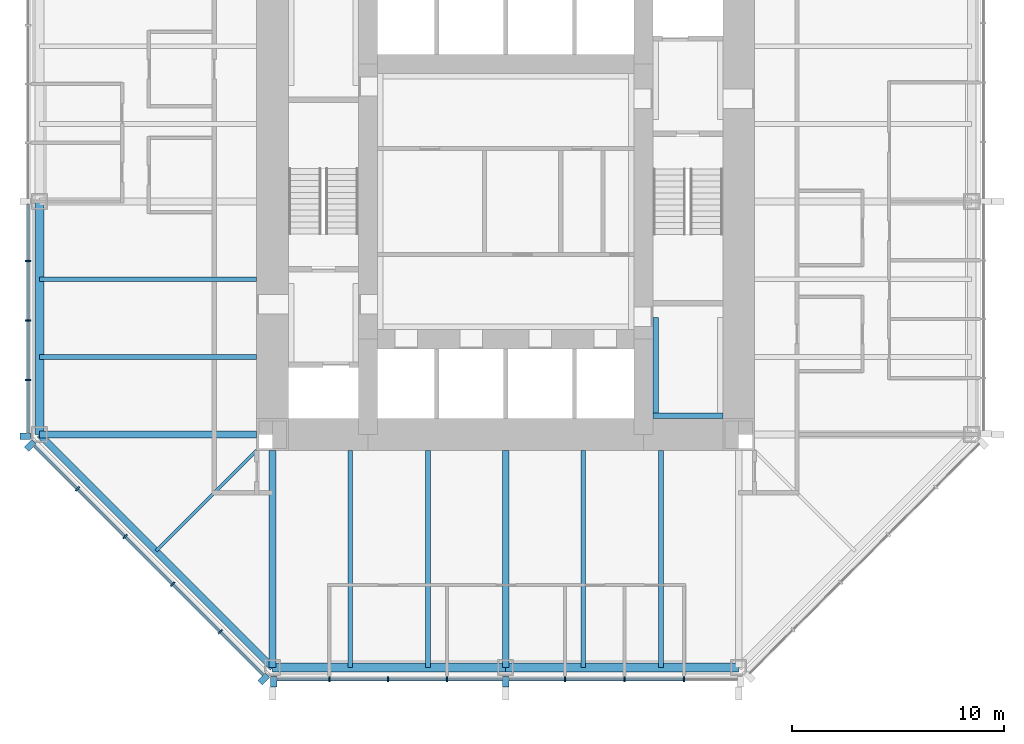
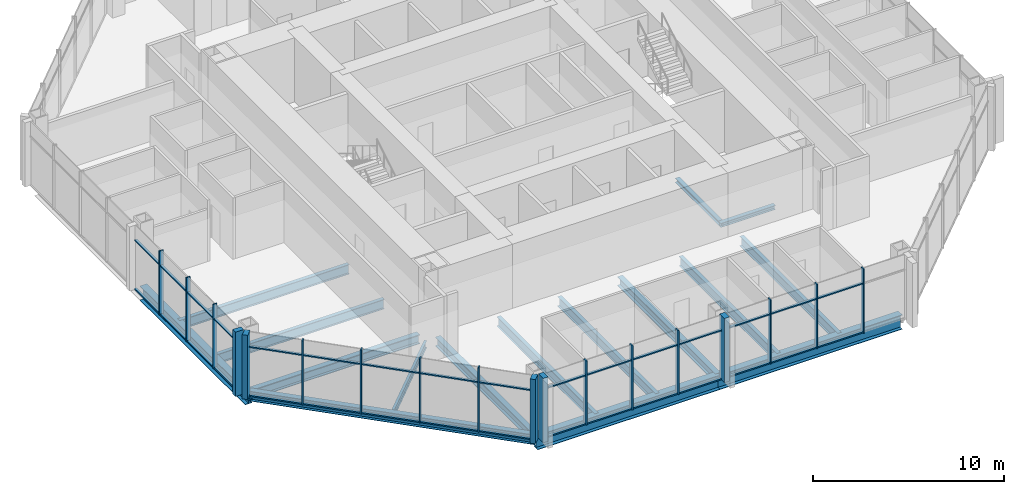
# One storey, part 2 of 12: 50 members, 16 beams, 3 elements without a shape of their own.
"""IFC4 building model written with IfcOpenShell, lengths in metres."""

from ifc_helpers import new_model, si_unit, direction, frame, origin, origin_2d, place, context, subcontext, project, spatial, rectangle, i_section, extrude, material, material_profile, profile_set, type_object, element, aggregate, save


model = new_model("IFC4")

# Units and contexts
model_context = context("Model", 3, precision=1e-05, world=origin(), true_north=direction((0.0, 1.0)))
body_context = subcontext(model_context, "Body", "Model", "MODEL_VIEW")
ifc_project = project(units=[si_unit("LENGTHUNIT", "METRE"), si_unit("AREAUNIT", "SQUARE_METRE"), si_unit("VOLUMEUNIT", "CUBIC_METRE"), si_unit("PLANEANGLEUNIT", "RADIAN"), si_unit("MASSUNIT", "GRAM", prefix="KILO")], contexts=[model_context])

# Site, building, storey
site_placement = place(None, origin())
site = spatial("IfcSite", under=ifc_project, at=site_placement, CompositionType="ELEMENT")
building_placement = place(site_placement, origin())
building = spatial("IfcBuilding", under=site, at=building_placement, Name="Trevanion Tower", CompositionType="ELEMENT")
storey_placement = place(building_placement, frame((0.0, 0.0, 141.800048828125)))
storey = spatial("IfcBuildingStorey", under=building, at=storey_placement, Name="L33", CompositionType="ELEMENT", Elevation=141.800048828125)

# Beams
ifc_material_1 = material(Name="Steel ASTM A992 Grade 50", Category="steel")
ifc_material_profile_1 = material_profile(ifc_material_1, i_section(OverallWidth=0.22900390625, OverallDepth=0.612060546875, WebThickness=0.011962890625, FlangeThickness=0.01953125, at=origin_2d()), Name="W24X84")
ifc_profile_set_1 = profile_set([ifc_material_profile_1], Name="Steel ASTM A992 Grade 50")
beam_type_1 = type_object("IfcBeamType", Name="B7 W24X84", PredefinedType="BEAM", material=ifc_profile_set_1)
for number, where, z_axis, x_axis, name in (
    (1, (-11.75, -3.666748046875, -0.49609375), (-1.0, 0.0, 0.0), (0.0, -1.0, 0.0), "B7 L33"),
    (2, (-11.75, -7.333251953125, -0.49609375), (-1.0, 0.0, 0.0), (0.0, -1.0, 0.0), "B7 L33"),
    (3, (-7.333251953125, -11.75, -0.49609375), (0.0, -1.0, 0.0), (1.0, 0.0, 0.0), "B7 L33"),
    (4, (-3.666748046875, -11.75, -0.49609375), (0.0, -1.0, 0.0), (1.0, 0.0, 0.0), "B7 L33"),
    (5, (3.666748046875, -11.75, -0.49609375), (0.0, -1.0, 0.0), (1.0, 0.0, 0.0), "B7 L33"),
    (6, (7.333251953125, -11.75, -0.49609375), (0.0, -1.0, 0.0), (1.0, 0.0, 0.0), "B7 L33"),
):
    element("IfcBeam", number, at=place(storey_placement, frame(where, z_axis=z_axis, x_axis=x_axis)), inside=storey, type_object=beam_type_1, Name=name, PredefinedType="BEAM", context=body_context, shape_type="SweptSolid", body=[
        extrude(i_section(OverallWidth=0.22900390625, OverallDepth=0.612060546875, WebThickness=0.011962890625, FlangeThickness=0.01953125, at=origin_2d()), origin(), (0.0, 0.0, 1.0), 10.25),
    ])
ifc_material_2 = material(Name="Steel ASTM A992 Grade 50", Category="steel")
ifc_material_profile_2 = material_profile(ifc_material_2, i_section(OverallWidth=0.15234375, OverallDepth=0.449462890625, WebThickness=0.007568359375, FlangeThickness=0.0107421875, at=origin_2d()), Name="W18X35")
ifc_profile_set_2 = profile_set([ifc_material_profile_2], Name="Steel ASTM A992 Grade 50")
beam_type_2 = type_object("IfcBeamType", Name="B8 W18X35", PredefinedType="BEAM", material=ifc_profile_set_2)
beam_1_placement = place(storey_placement, frame((-11.75, -11.75, -0.414794921875), z_axis=(-0.707106781187, -0.707106781187, 0.0), x_axis=(0.707106781187, -0.707106781187, 0.0)))
element("IfcBeam", 7, at=beam_1_placement, inside=storey, type_object=beam_type_2, Name="B8 L33", PredefinedType="BEAM", context=body_context, shape_type="SweptSolid", body=[
    extrude(i_section(OverallWidth=0.15234375, OverallDepth=0.449462890625, WebThickness=0.007568359375, FlangeThickness=0.0107421875, at=origin_2d()), origin(), (0.0, 0.0, 1.0), 6.717529296875),
])

# Curtain wall, members
ifc_material_3 = material(Name="Aluminium and glass", Category="aluminium")
curtain_wall_type = type_object("IfcCurtainWallType", Name="CW2 curtain wall", PredefinedType="USERDEFINED", material=ifc_material_3)
curtain_wall_1_placement = place(storey_placement, origin())
curtain_wall_1 = element("IfcCurtainWall", 8, at=curtain_wall_1_placement, inside=storey, type_object=curtain_wall_type, Name="CW2 L33 4", ObjectType="UNITISED CURTAIN WALL", PredefinedType="USERDEFINED")
ifc_material_4 = material(Name="Aluminium extrusion, anodised bronze", Category="aluminium")
ifc_material_profile_3 = material_profile(ifc_material_4, rectangle(XDim=0.074951171875, YDim=0.25, at=origin_2d()), Name="CW2 mullion")
ifc_profile_set_3 = profile_set([ifc_material_profile_3], Name="Aluminium extrusion, anodised bronze")
member_type_1 = type_object("IfcMemberType", Name="CW2 mullion", PredefinedType="MULLION", material=ifc_profile_set_3)
member_1_placement = place(storey_placement, frame((-22.550048828125, -2.806884765625, -0.18994140625), z_axis=(0.0, 0.0, 1.0), x_axis=(0.0, -1.0, 0.0)))
member_1 = element("IfcMember", 9, at=member_1_placement, type_object=member_type_1, Name="CW2 mullion 6", PredefinedType="MULLION", context=body_context, shape_type="SweptSolid", body=[
    extrude(rectangle(XDim=0.074951171875, YDim=0.25, at=origin_2d()), origin(), (0.0, 0.0, 1.0), 4.099853515625),
])
member_2_placement = place(storey_placement, frame((-22.550048828125, -5.614013671875, -0.18994140625), z_axis=(0.0, 0.0, 1.0), x_axis=(0.0, -1.0, 0.0)))
member_2 = element("IfcMember", 10, at=member_2_placement, type_object=member_type_1, Name="CW2 mullion 7", PredefinedType="MULLION", context=body_context, shape_type="SweptSolid", body=[
    extrude(rectangle(XDim=0.074951171875, YDim=0.25, at=origin_2d()), origin(), (0.0, 0.0, 1.0), 4.099853515625),
])
member_3_placement = place(storey_placement, frame((-22.550048828125, -8.4208984375, -0.18994140625), z_axis=(0.0, 0.0, 1.0), x_axis=(0.0, -1.0, 0.0)))
member_3 = element("IfcMember", 11, at=member_3_placement, type_object=member_type_1, Name="CW2 mullion 8", PredefinedType="MULLION", context=body_context, shape_type="SweptSolid", body=[
    extrude(rectangle(XDim=0.074951171875, YDim=0.25, at=origin_2d()), origin(), (0.0, 0.0, 1.0), 4.099853515625),
])

curtain_wall_2_placement = place(storey_placement, origin())
curtain_wall_2 = element("IfcCurtainWall", 12, at=curtain_wall_2_placement, inside=storey, type_object=curtain_wall_type, Name="CW2 L33 5", ObjectType="UNITISED CURTAIN WALL", PredefinedType="USERDEFINED")
member_4_placement = place(storey_placement, frame((-20.2119140625, -13.56591796875, -0.18994140625), z_axis=(0.0, 0.0, 1.0), x_axis=(0.707106781187, -0.707106781187, 0.0)))
member_4 = element("IfcMember", 13, at=member_4_placement, type_object=member_type_1, Name="CW2 mullion 2", PredefinedType="MULLION", context=body_context, shape_type="SweptSolid", body=[
    extrude(rectangle(XDim=0.074951171875, YDim=0.25, at=origin_2d()), origin(), (0.0, 0.0, 1.0), 4.099853515625),
])
member_5_placement = place(storey_placement, frame((-17.966064453125, -15.811767578125, -0.18994140625), z_axis=(0.0, 0.0, 1.0), x_axis=(0.707106781187, -0.707106781187, 0.0)))
member_5 = element("IfcMember", 14, at=member_5_placement, type_object=member_type_1, Name="CW2 mullion 3", PredefinedType="MULLION", context=body_context, shape_type="SweptSolid", body=[
    extrude(rectangle(XDim=0.074951171875, YDim=0.25, at=origin_2d()), origin(), (0.0, 0.0, 1.0), 4.099853515625),
])
member_6_placement = place(storey_placement, frame((-15.719970703125, -18.057861328125, -0.18994140625), z_axis=(0.0, 0.0, 1.0), x_axis=(0.707106781187, -0.707106781187, 0.0)))
member_6 = element("IfcMember", 15, at=member_6_placement, type_object=member_type_1, Name="CW2 mullion 4", PredefinedType="MULLION", context=body_context, shape_type="SweptSolid", body=[
    extrude(rectangle(XDim=0.074951171875, YDim=0.25, at=origin_2d()), origin(), (0.0, 0.0, 1.0), 4.099853515625),
])
member_7_placement = place(storey_placement, frame((-13.473876953125, -20.303955078125, -0.18994140625), z_axis=(0.0, 0.0, 1.0), x_axis=(0.707106781187, -0.707106781187, 0.0)))
member_7 = element("IfcMember", 16, at=member_7_placement, type_object=member_type_1, Name="CW2 mullion 5", PredefinedType="MULLION", context=body_context, shape_type="SweptSolid", body=[
    extrude(rectangle(XDim=0.074951171875, YDim=0.25, at=origin_2d()), origin(), (0.0, 0.0, 1.0), 4.099853515625),
])

curtain_wall_3_placement = place(storey_placement, origin())
curtain_wall_3 = element("IfcCurtainWall", 17, at=curtain_wall_3_placement, inside=storey, type_object=curtain_wall_type, Name="CW2 L33 6", ObjectType="UNITISED CURTAIN WALL", PredefinedType="USERDEFINED")
member_8_placement = place(storey_placement, frame((-8.323486328125, -22.550048828125, -0.18994140625), z_axis=(0.0, 0.0, 1.0), x_axis=(1.0, 0.0, 0.0)))
member_8 = element("IfcMember", 18, at=member_8_placement, type_object=member_type_1, Name="CW2 mullion 2", PredefinedType="MULLION", context=body_context, shape_type="SweptSolid", body=[
    extrude(rectangle(XDim=0.074951171875, YDim=0.25, at=origin_2d()), origin(), (0.0, 0.0, 1.0), 4.099853515625),
])
member_9_placement = place(storey_placement, frame((-5.548828125, -22.550048828125, -0.18994140625), z_axis=(0.0, 0.0, 1.0), x_axis=(1.0, 0.0, 0.0)))
member_9 = element("IfcMember", 19, at=member_9_placement, type_object=member_type_1, Name="CW2 mullion 3", PredefinedType="MULLION", context=body_context, shape_type="SweptSolid", body=[
    extrude(rectangle(XDim=0.074951171875, YDim=0.25, at=origin_2d()), origin(), (0.0, 0.0, 1.0), 4.099853515625),
])
member_10_placement = place(storey_placement, frame((-2.7744140625, -22.550048828125, -0.18994140625), z_axis=(0.0, 0.0, 1.0), x_axis=(1.0, 0.0, 0.0)))
member_10 = element("IfcMember", 20, at=member_10_placement, type_object=member_type_1, Name="CW2 mullion 4", PredefinedType="MULLION", context=body_context, shape_type="SweptSolid", body=[
    extrude(rectangle(XDim=0.074951171875, YDim=0.25, at=origin_2d()), origin(), (0.0, 0.0, 1.0), 4.099853515625),
])
member_11_placement = place(storey_placement, frame((2.806884765625, -22.550048828125, -0.18994140625), z_axis=(0.0, 0.0, 1.0), x_axis=(1.0, 0.0, 0.0)))
member_11 = element("IfcMember", 21, at=member_11_placement, type_object=member_type_1, Name="CW2 mullion 6", PredefinedType="MULLION", context=body_context, shape_type="SweptSolid", body=[
    extrude(rectangle(XDim=0.074951171875, YDim=0.25, at=origin_2d()), origin(), (0.0, 0.0, 1.0), 4.099853515625),
])
member_12_placement = place(storey_placement, frame((5.614013671875, -22.550048828125, -0.18994140625), z_axis=(0.0, 0.0, 1.0), x_axis=(1.0, 0.0, 0.0)))
member_12 = element("IfcMember", 22, at=member_12_placement, type_object=member_type_1, Name="CW2 mullion 7", PredefinedType="MULLION", context=body_context, shape_type="SweptSolid", body=[
    extrude(rectangle(XDim=0.074951171875, YDim=0.25, at=origin_2d()), origin(), (0.0, 0.0, 1.0), 4.099853515625),
])
member_13_placement = place(storey_placement, frame((8.4208984375, -22.550048828125, -0.18994140625), z_axis=(0.0, 0.0, 1.0), x_axis=(1.0, 0.0, 0.0)))
member_13 = element("IfcMember", 23, at=member_13_placement, type_object=member_type_1, Name="CW2 mullion 8", PredefinedType="MULLION", context=body_context, shape_type="SweptSolid", body=[
    extrude(rectangle(XDim=0.074951171875, YDim=0.25, at=origin_2d()), origin(), (0.0, 0.0, 1.0), 4.099853515625),
])

# Member
ifc_material_5 = material(Name="Aluminium extrusion, anodised bronze", Category="aluminium")
ifc_material_profile_4 = material_profile(ifc_material_5, rectangle(XDim=0.300048828125, YDim=0.5, at=origin_2d()), Name="CW2 pier mullion")
ifc_profile_set_4 = profile_set([ifc_material_profile_4], Name="Aluminium extrusion, anodised bronze")
member_type_2 = type_object("IfcMemberType", Name="CW2 pier mullion", PredefinedType="MULLION", material=ifc_profile_set_4)
member_14_placement = place(storey_placement, frame((-22.675048828125, -11.077880859375, -0.18994140625), z_axis=(0.0, 0.0, 1.0), x_axis=(0.0, -1.0, 0.0)))
member_14 = element("IfcMember", 24, at=member_14_placement, type_object=member_type_2, Name="CW2 pier mullion 9", PredefinedType="MULLION", context=body_context, shape_type="SweptSolid", body=[
    extrude(rectangle(XDim=0.300048828125, YDim=0.5, at=origin_2d()), origin(), (0.0, 0.0, 1.0), 4.099853515625),
])

member_15_placement = place(storey_placement, frame((-22.4404296875, -11.51416015625, -0.18994140625), z_axis=(0.0, 0.0, 1.0), x_axis=(0.707106781187, -0.707106781187, 0.0)))
member_15 = element("IfcMember", 25, at=member_15_placement, type_object=member_type_2, Name="CW2 pier mullion 1", PredefinedType="MULLION", context=body_context, shape_type="SweptSolid", body=[
    extrude(rectangle(XDim=0.300048828125, YDim=0.5, at=origin_2d()), origin(), (0.0, 0.0, 1.0), 4.099853515625),
])

member_16_placement = place(storey_placement, frame((-11.42236328125, -22.5322265625, -0.18994140625), z_axis=(0.0, 0.0, 1.0), x_axis=(0.707106781187, -0.707106781187, 0.0)))
member_16 = element("IfcMember", 26, at=member_16_placement, type_object=member_type_2, Name="CW2 pier mullion 6", PredefinedType="MULLION", context=body_context, shape_type="SweptSolid", body=[
    extrude(rectangle(XDim=0.300048828125, YDim=0.5, at=origin_2d()), origin(), (0.0, 0.0, 1.0), 4.099853515625),
])

member_17_placement = place(storey_placement, frame((-10.94775390625, -22.675048828125, -0.18994140625), z_axis=(0.0, 0.0, 1.0), x_axis=(1.0, 0.0, 0.0)))
member_17 = element("IfcMember", 27, at=member_17_placement, type_object=member_type_2, Name="CW2 pier mullion 1", PredefinedType="MULLION", context=body_context, shape_type="SweptSolid", body=[
    extrude(rectangle(XDim=0.300048828125, YDim=0.5, at=origin_2d()), origin(), (0.0, 0.0, 1.0), 4.099853515625),
])

member_18_placement = place(storey_placement, frame((0.0, -22.675048828125, -0.18994140625), z_axis=(0.0, 0.0, 1.0), x_axis=(1.0, 0.0, 0.0)))
member_18 = element("IfcMember", 28, at=member_18_placement, type_object=member_type_2, Name="CW2 pier mullion 5", PredefinedType="MULLION", context=body_context, shape_type="SweptSolid", body=[
    extrude(rectangle(XDim=0.300048828125, YDim=0.5, at=origin_2d()), origin(), (0.0, 0.0, 1.0), 4.099853515625),
])

ifc_material_6 = material(Name="Aluminium extrusion, anodised bronze", Category="aluminium")
ifc_material_profile_5 = material_profile(ifc_material_6, rectangle(XDim=0.14990234375, YDim=0.074951171875, at=origin_2d()), Name="CW2 transom")
ifc_profile_set_5 = profile_set([ifc_material_profile_5], Name="Aluminium extrusion, anodised bronze")
member_type_3 = type_object("IfcMemberType", Name="CW2 transom", PredefinedType="USERDEFINED", material=ifc_profile_set_5)
member_19_placement = place(storey_placement, frame((-22.550048828125, -0.14990234375, -0.152587890625), z_axis=(0.0, -1.0, 0.0), x_axis=(1.0, 0.0, 0.0)))
member_19 = element("IfcMember", 29, at=member_19_placement, type_object=member_type_3, Name="CW2 transom 5.1", ObjectType="TRANSOM", PredefinedType="USERDEFINED", context=body_context, shape_type="SweptSolid", body=[
    extrude(rectangle(XDim=0.14990234375, YDim=0.074951171875, at=origin_2d()), origin(), (0.0, 0.0, 1.0), 2.619384765625),
])

member_20_placement = place(storey_placement, frame((-22.550048828125, -0.14990234375, 2.9599609375), z_axis=(0.0, -1.0, 0.0), x_axis=(1.0, 0.0, 0.0)))
member_20 = element("IfcMember", 30, at=member_20_placement, type_object=member_type_3, Name="CW2 transom 5.2", ObjectType="TRANSOM", PredefinedType="USERDEFINED", context=body_context, shape_type="SweptSolid", body=[
    extrude(rectangle(XDim=0.14990234375, YDim=0.074951171875, at=origin_2d()), origin(), (0.0, 0.0, 1.0), 2.619384765625),
])

member_21_placement = place(storey_placement, frame((-22.550048828125, -2.844482421875, -0.152587890625), z_axis=(0.0, -1.0, 0.0), x_axis=(1.0, 0.0, 0.0)))
member_21 = element("IfcMember", 31, at=member_21_placement, type_object=member_type_3, Name="CW2 transom 6.1", ObjectType="TRANSOM", PredefinedType="USERDEFINED", context=body_context, shape_type="SweptSolid", body=[
    extrude(rectangle(XDim=0.14990234375, YDim=0.074951171875, at=origin_2d()), origin(), (0.0, 0.0, 1.0), 2.73193359375),
])

member_22_placement = place(storey_placement, frame((-22.550048828125, -2.844482421875, 2.9599609375), z_axis=(0.0, -1.0, 0.0), x_axis=(1.0, 0.0, 0.0)))
member_22 = element("IfcMember", 32, at=member_22_placement, type_object=member_type_3, Name="CW2 transom 6.2", ObjectType="TRANSOM", PredefinedType="USERDEFINED", context=body_context, shape_type="SweptSolid", body=[
    extrude(rectangle(XDim=0.14990234375, YDim=0.074951171875, at=origin_2d()), origin(), (0.0, 0.0, 1.0), 2.73193359375),
])

member_23_placement = place(storey_placement, frame((-22.550048828125, -5.6513671875, -0.152587890625), z_axis=(0.0, -1.0, 0.0), x_axis=(1.0, 0.0, 0.0)))
member_23 = element("IfcMember", 33, at=member_23_placement, type_object=member_type_3, Name="CW2 transom 7.1", ObjectType="TRANSOM", PredefinedType="USERDEFINED", context=body_context, shape_type="SweptSolid", body=[
    extrude(rectangle(XDim=0.14990234375, YDim=0.074951171875, at=origin_2d()), origin(), (0.0, 0.0, 1.0), 2.73193359375),
])

member_24_placement = place(storey_placement, frame((-22.550048828125, -5.6513671875, 2.9599609375), z_axis=(0.0, -1.0, 0.0), x_axis=(1.0, 0.0, 0.0)))
member_24 = element("IfcMember", 34, at=member_24_placement, type_object=member_type_3, Name="CW2 transom 7.2", ObjectType="TRANSOM", PredefinedType="USERDEFINED", context=body_context, shape_type="SweptSolid", body=[
    extrude(rectangle(XDim=0.14990234375, YDim=0.074951171875, at=origin_2d()), origin(), (0.0, 0.0, 1.0), 2.73193359375),
])

member_25_placement = place(storey_placement, frame((-22.550048828125, -8.45849609375, -0.152587890625), z_axis=(0.0, -1.0, 0.0), x_axis=(1.0, 0.0, 0.0)))
member_25 = element("IfcMember", 35, at=member_25_placement, type_object=member_type_3, Name="CW2 transom 8.1", ObjectType="TRANSOM", PredefinedType="USERDEFINED", context=body_context, shape_type="SweptSolid", body=[
    extrude(rectangle(XDim=0.14990234375, YDim=0.074951171875, at=origin_2d()), origin(), (0.0, 0.0, 1.0), 2.46923828125),
])

member_26_placement = place(storey_placement, frame((-22.550048828125, -8.45849609375, 2.9599609375), z_axis=(0.0, -1.0, 0.0), x_axis=(1.0, 0.0, 0.0)))
member_26 = element("IfcMember", 36, at=member_26_placement, type_object=member_type_3, Name="CW2 transom 8.2", ObjectType="TRANSOM", PredefinedType="USERDEFINED", context=body_context, shape_type="SweptSolid", body=[
    extrude(rectangle(XDim=0.14990234375, YDim=0.074951171875, at=origin_2d()), origin(), (0.0, 0.0, 1.0), 2.46923828125),
])

aggregate(curtain_wall_1, [member_1, member_2, member_3, member_14, member_19, member_20, member_21, member_22, member_23, member_24, member_25, member_26])

member_27_placement = place(storey_placement, frame((-22.245849609375, -11.531982421875, -0.152587890625), z_axis=(0.707106781187, -0.707106781187, 0.0), x_axis=(0.707106781187, 0.707106781187, 0.0)))
member_27 = element("IfcMember", 37, at=member_27_placement, type_object=member_type_3, Name="CW2 transom 1.1", ObjectType="TRANSOM", PredefinedType="USERDEFINED", context=body_context, shape_type="SweptSolid", body=[
    extrude(rectangle(XDim=0.14990234375, YDim=0.074951171875, at=origin_2d()), origin(), (0.0, 0.0, 1.0), 2.8388671875),
])

member_28_placement = place(storey_placement, frame((-22.245849609375, -11.531982421875, 2.9599609375), z_axis=(0.707106781187, -0.707106781187, 0.0), x_axis=(0.707106781187, 0.707106781187, 0.0)))
member_28 = element("IfcMember", 38, at=member_28_placement, type_object=member_type_3, Name="CW2 transom 1.2", ObjectType="TRANSOM", PredefinedType="USERDEFINED", context=body_context, shape_type="SweptSolid", body=[
    extrude(rectangle(XDim=0.14990234375, YDim=0.074951171875, at=origin_2d()), origin(), (0.0, 0.0, 1.0), 2.8388671875),
])

member_29_placement = place(storey_placement, frame((-20.185546875, -13.59228515625, -0.152587890625), z_axis=(0.707106781187, -0.707106781187, 0.0), x_axis=(0.707106781187, 0.707106781187, 0.0)))
member_29 = element("IfcMember", 39, at=member_29_placement, type_object=member_type_3, Name="CW2 transom 2.1", ObjectType="TRANSOM", PredefinedType="USERDEFINED", context=body_context, shape_type="SweptSolid", body=[
    extrude(rectangle(XDim=0.14990234375, YDim=0.074951171875, at=origin_2d()), origin(), (0.0, 0.0, 1.0), 3.1015625),
])

member_30_placement = place(storey_placement, frame((-20.185546875, -13.59228515625, 2.9599609375), z_axis=(0.707106781187, -0.707106781187, 0.0), x_axis=(0.707106781187, 0.707106781187, 0.0)))
member_30 = element("IfcMember", 40, at=member_30_placement, type_object=member_type_3, Name="CW2 transom 2.2", ObjectType="TRANSOM", PredefinedType="USERDEFINED", context=body_context, shape_type="SweptSolid", body=[
    extrude(rectangle(XDim=0.14990234375, YDim=0.074951171875, at=origin_2d()), origin(), (0.0, 0.0, 1.0), 3.1015625),
])

member_31_placement = place(storey_placement, frame((-17.939453125, -15.83837890625, -0.152587890625), z_axis=(0.707106781187, -0.707106781187, 0.0), x_axis=(0.707106781187, 0.707106781187, 0.0)))
member_31 = element("IfcMember", 41, at=member_31_placement, type_object=member_type_3, Name="CW2 transom 3.1", ObjectType="TRANSOM", PredefinedType="USERDEFINED", context=body_context, shape_type="SweptSolid", body=[
    extrude(rectangle(XDim=0.14990234375, YDim=0.074951171875, at=origin_2d()), origin(), (0.0, 0.0, 1.0), 3.1015625),
])

member_32_placement = place(storey_placement, frame((-17.939453125, -15.83837890625, 2.9599609375), z_axis=(0.707106781187, -0.707106781187, 0.0), x_axis=(0.707106781187, 0.707106781187, 0.0)))
member_32 = element("IfcMember", 42, at=member_32_placement, type_object=member_type_3, Name="CW2 transom 3.2", ObjectType="TRANSOM", PredefinedType="USERDEFINED", context=body_context, shape_type="SweptSolid", body=[
    extrude(rectangle(XDim=0.14990234375, YDim=0.074951171875, at=origin_2d()), origin(), (0.0, 0.0, 1.0), 3.1015625),
])

member_33_placement = place(storey_placement, frame((-15.693359375, -18.08447265625, -0.152587890625), z_axis=(0.707106781187, -0.707106781187, 0.0), x_axis=(0.707106781187, 0.707106781187, 0.0)))
member_33 = element("IfcMember", 43, at=member_33_placement, type_object=member_type_3, Name="CW2 transom 4.1", ObjectType="TRANSOM", PredefinedType="USERDEFINED", context=body_context, shape_type="SweptSolid", body=[
    extrude(rectangle(XDim=0.14990234375, YDim=0.074951171875, at=origin_2d()), origin(), (0.0, 0.0, 1.0), 3.10107421875),
])

member_34_placement = place(storey_placement, frame((-15.693359375, -18.08447265625, 2.9599609375), z_axis=(0.707106781187, -0.707106781187, 0.0), x_axis=(0.707106781187, 0.707106781187, 0.0)))
member_34 = element("IfcMember", 44, at=member_34_placement, type_object=member_type_3, Name="CW2 transom 4.2", ObjectType="TRANSOM", PredefinedType="USERDEFINED", context=body_context, shape_type="SweptSolid", body=[
    extrude(rectangle(XDim=0.14990234375, YDim=0.074951171875, at=origin_2d()), origin(), (0.0, 0.0, 1.0), 3.10107421875),
])

member_35_placement = place(storey_placement, frame((-13.447509765625, -20.33056640625, -0.152587890625), z_axis=(0.707149778163, -0.707063781595, 0.0), x_axis=(0.707063781595, 0.707149778163, 0.0)))
member_35 = element("IfcMember", 45, at=member_35_placement, type_object=member_type_3, Name="CW2 transom 5.1", ObjectType="TRANSOM", PredefinedType="USERDEFINED", context=body_context, shape_type="SweptSolid", body=[
    extrude(rectangle(XDim=0.14990234375, YDim=0.074951171875, at=origin_2d()), origin(), (0.0, 0.0, 1.0), 2.8388671875),
])

member_36_placement = place(storey_placement, frame((-13.447509765625, -20.33056640625, 2.9599609375), z_axis=(0.707149778163, -0.707063781595, 0.0), x_axis=(0.707063781595, 0.707149778163, 0.0)))
member_36 = element("IfcMember", 46, at=member_36_placement, type_object=member_type_3, Name="CW2 transom 5.2", ObjectType="TRANSOM", PredefinedType="USERDEFINED", context=body_context, shape_type="SweptSolid", body=[
    extrude(rectangle(XDim=0.14990234375, YDim=0.074951171875, at=origin_2d()), origin(), (0.0, 0.0, 1.0), 2.8388671875),
])

aggregate(curtain_wall_2, [member_15, member_4, member_5, member_6, member_7, member_16, member_27, member_28, member_29, member_30, member_31, member_32, member_33, member_34, member_35, member_36])

member_37_placement = place(storey_placement, frame((-10.7978515625, -22.550048828125, -0.152587890625), z_axis=(1.0, 0.0, 0.0), x_axis=(0.0, 1.0, 0.0)))
member_37 = element("IfcMember", 47, at=member_37_placement, type_object=member_type_3, Name="CW2 transom 1.1", ObjectType="TRANSOM", PredefinedType="USERDEFINED", context=body_context, shape_type="SweptSolid", body=[
    extrude(rectangle(XDim=0.14990234375, YDim=0.074951171875, at=origin_2d()), origin(), (0.0, 0.0, 1.0), 2.43701171875),
])

member_38_placement = place(storey_placement, frame((-10.7978515625, -22.550048828125, 2.9599609375), z_axis=(1.0, 0.0, 0.0), x_axis=(0.0, 1.0, 0.0)))
member_38 = element("IfcMember", 48, at=member_38_placement, type_object=member_type_3, Name="CW2 transom 1.2", ObjectType="TRANSOM", PredefinedType="USERDEFINED", context=body_context, shape_type="SweptSolid", body=[
    extrude(rectangle(XDim=0.14990234375, YDim=0.074951171875, at=origin_2d()), origin(), (0.0, 0.0, 1.0), 2.43701171875),
])

member_39_placement = place(storey_placement, frame((-8.285888671875, -22.550048828125, -0.152587890625), z_axis=(1.0, 0.0, 0.0), x_axis=(0.0, 1.0, 0.0)))
member_39 = element("IfcMember", 49, at=member_39_placement, type_object=member_type_3, Name="CW2 transom 2.1", ObjectType="TRANSOM", PredefinedType="USERDEFINED", context=body_context, shape_type="SweptSolid", body=[
    extrude(rectangle(XDim=0.14990234375, YDim=0.074951171875, at=origin_2d()), origin(), (0.0, 0.0, 1.0), 2.699462890625),
])

member_40_placement = place(storey_placement, frame((-8.285888671875, -22.550048828125, 2.9599609375), z_axis=(1.0, 0.0, 0.0), x_axis=(0.0, 1.0, 0.0)))
member_40 = element("IfcMember", 50, at=member_40_placement, type_object=member_type_3, Name="CW2 transom 2.2", ObjectType="TRANSOM", PredefinedType="USERDEFINED", context=body_context, shape_type="SweptSolid", body=[
    extrude(rectangle(XDim=0.14990234375, YDim=0.074951171875, at=origin_2d()), origin(), (0.0, 0.0, 1.0), 2.699462890625),
])

member_41_placement = place(storey_placement, frame((-5.511474609375, -22.550048828125, -0.152587890625), z_axis=(1.0, 0.0, 0.0), x_axis=(0.0, 1.0, 0.0)))
member_41 = element("IfcMember", 51, at=member_41_placement, type_object=member_type_3, Name="CW2 transom 3.1", ObjectType="TRANSOM", PredefinedType="USERDEFINED", context=body_context, shape_type="SweptSolid", body=[
    extrude(rectangle(XDim=0.14990234375, YDim=0.074951171875, at=origin_2d()), origin(), (0.0, 0.0, 1.0), 2.699462890625),
])

member_42_placement = place(storey_placement, frame((-5.511474609375, -22.550048828125, 2.9599609375), z_axis=(1.0, 0.0, 0.0), x_axis=(0.0, 1.0, 0.0)))
member_42 = element("IfcMember", 52, at=member_42_placement, type_object=member_type_3, Name="CW2 transom 3.2", ObjectType="TRANSOM", PredefinedType="USERDEFINED", context=body_context, shape_type="SweptSolid", body=[
    extrude(rectangle(XDim=0.14990234375, YDim=0.074951171875, at=origin_2d()), origin(), (0.0, 0.0, 1.0), 2.699462890625),
])

member_43_placement = place(storey_placement, frame((-2.737060546875, -22.550048828125, -0.152587890625), z_axis=(1.0, 0.0, 0.0), x_axis=(0.0, 1.0, 0.0)))
member_43 = element("IfcMember", 53, at=member_43_placement, type_object=member_type_3, Name="CW2 transom 4.1", ObjectType="TRANSOM", PredefinedType="USERDEFINED", context=body_context, shape_type="SweptSolid", body=[
    extrude(rectangle(XDim=0.14990234375, YDim=0.074951171875, at=origin_2d()), origin(), (0.0, 0.0, 1.0), 2.587158203125),
])

member_44_placement = place(storey_placement, frame((-2.737060546875, -22.550048828125, 2.9599609375), z_axis=(1.0, 0.0, 0.0), x_axis=(0.0, 1.0, 0.0)))
member_44 = element("IfcMember", 54, at=member_44_placement, type_object=member_type_3, Name="CW2 transom 4.2", ObjectType="TRANSOM", PredefinedType="USERDEFINED", context=body_context, shape_type="SweptSolid", body=[
    extrude(rectangle(XDim=0.14990234375, YDim=0.074951171875, at=origin_2d()), origin(), (0.0, 0.0, 1.0), 2.587158203125),
])

member_45_placement = place(storey_placement, frame((0.14990234375, -22.550048828125, -0.152587890625), z_axis=(1.0, 0.0, 0.0), x_axis=(0.0, 1.0, 0.0)))
member_45 = element("IfcMember", 55, at=member_45_placement, type_object=member_type_3, Name="CW2 transom 5.1", ObjectType="TRANSOM", PredefinedType="USERDEFINED", context=body_context, shape_type="SweptSolid", body=[
    extrude(rectangle(XDim=0.14990234375, YDim=0.074951171875, at=origin_2d()), origin(), (0.0, 0.0, 1.0), 2.619384765625),
])

member_46_placement = place(storey_placement, frame((0.14990234375, -22.550048828125, 2.9599609375), z_axis=(1.0, 0.0, 0.0), x_axis=(0.0, 1.0, 0.0)))
member_46 = element("IfcMember", 56, at=member_46_placement, type_object=member_type_3, Name="CW2 transom 5.2", ObjectType="TRANSOM", PredefinedType="USERDEFINED", context=body_context, shape_type="SweptSolid", body=[
    extrude(rectangle(XDim=0.14990234375, YDim=0.074951171875, at=origin_2d()), origin(), (0.0, 0.0, 1.0), 2.619384765625),
])

member_47_placement = place(storey_placement, frame((2.844482421875, -22.550048828125, -0.152587890625), z_axis=(1.0, 0.0, 0.0), x_axis=(0.0, 1.0, 0.0)))
member_47 = element("IfcMember", 57, at=member_47_placement, type_object=member_type_3, Name="CW2 transom 6.1", ObjectType="TRANSOM", PredefinedType="USERDEFINED", context=body_context, shape_type="SweptSolid", body=[
    extrude(rectangle(XDim=0.14990234375, YDim=0.074951171875, at=origin_2d()), origin(), (0.0, 0.0, 1.0), 2.73193359375),
])

member_48_placement = place(storey_placement, frame((2.844482421875, -22.550048828125, 2.9599609375), z_axis=(1.0, 0.0, 0.0), x_axis=(0.0, 1.0, 0.0)))
member_48 = element("IfcMember", 58, at=member_48_placement, type_object=member_type_3, Name="CW2 transom 6.2", ObjectType="TRANSOM", PredefinedType="USERDEFINED", context=body_context, shape_type="SweptSolid", body=[
    extrude(rectangle(XDim=0.14990234375, YDim=0.074951171875, at=origin_2d()), origin(), (0.0, 0.0, 1.0), 2.73193359375),
])

member_49_placement = place(storey_placement, frame((5.6513671875, -22.550048828125, -0.152587890625), z_axis=(1.0, 0.0, 0.0), x_axis=(0.0, 1.0, 0.0)))
member_49 = element("IfcMember", 59, at=member_49_placement, type_object=member_type_3, Name="CW2 transom 7.1", ObjectType="TRANSOM", PredefinedType="USERDEFINED", context=body_context, shape_type="SweptSolid", body=[
    extrude(rectangle(XDim=0.14990234375, YDim=0.074951171875, at=origin_2d()), origin(), (0.0, 0.0, 1.0), 2.73193359375),
])

member_50_placement = place(storey_placement, frame((5.6513671875, -22.550048828125, 2.9599609375), z_axis=(1.0, 0.0, 0.0), x_axis=(0.0, 1.0, 0.0)))
member_50 = element("IfcMember", 60, at=member_50_placement, type_object=member_type_3, Name="CW2 transom 7.2", ObjectType="TRANSOM", PredefinedType="USERDEFINED", context=body_context, shape_type="SweptSolid", body=[
    extrude(rectangle(XDim=0.14990234375, YDim=0.074951171875, at=origin_2d()), origin(), (0.0, 0.0, 1.0), 2.73193359375),
])

aggregate(curtain_wall_3, [member_17, member_8, member_9, member_10, member_18, member_11, member_12, member_13, member_37, member_38, member_39, member_40, member_41, member_42, member_43, member_44, member_45, member_46, member_47, member_48, member_49, member_50])

# Beams
ifc_material_7 = material(Name="Steel ASTM A992 Grade 50", Category="steel")
ifc_material_profile_6 = material_profile(ifc_material_7, i_section(OverallWidth=0.320068359375, OverallDepth=0.584228515625, WebThickness=0.023193359375, FlangeThickness=0.04150390625, at=origin_2d()), Name="W21X201")
ifc_profile_set_6 = profile_set([ifc_material_profile_6], Name="Steel ASTM A992 Grade 50")
beam_type_3 = type_object("IfcBeamType", Name="G4 W21X201", PredefinedType="BEAM", material=ifc_profile_set_6)
for number, where, z_axis, x_axis, name in (
    (61, (-11.75, -11.0, -0.482177734375), (-1.0, 0.0, 0.0), (0.0, -1.0, 0.0), "G4 L33"),
    (62, (-11.0, -11.75, -0.482177734375), (0.0, -1.0, 0.0), (1.0, 0.0, 0.0), "G4 L33"),
    (63, (0.0, -11.75, -0.482177734375), (0.0, -1.0, 0.0), (1.0, 0.0, 0.0), "G4 L33"),
):
    element("IfcBeam", number, at=place(storey_placement, frame(where, z_axis=z_axis, x_axis=x_axis)), inside=storey, type_object=beam_type_3, Name=name, PredefinedType="BEAM", context=body_context, shape_type="SweptSolid", body=[
        extrude(i_section(OverallWidth=0.320068359375, OverallDepth=0.584228515625, WebThickness=0.023193359375, FlangeThickness=0.04150390625, at=origin_2d()), origin(), (0.0, 0.0, 1.0), 10.25),
    ])
ifc_material_8 = material(Name="Steel ASTM A992 Grade 50", Category="steel")
ifc_material_profile_7 = material_profile(ifc_material_8, i_section(OverallWidth=0.256591796875, OverallDepth=0.26416015625, WebThickness=0.011962890625, FlangeThickness=0.01953125, at=origin_2d()), Name="W10X68")
ifc_profile_set_7 = profile_set([ifc_material_profile_7], Name="Steel ASTM A992 Grade 50")
beam_type_4 = type_object("IfcBeamType", Name="LB1 W10X68", PredefinedType="BEAM", material=ifc_profile_set_7)
beam_2_placement = place(storey_placement, frame((7.078369140625, -10.25, -0.33203125), z_axis=(0.0, 1.0, 0.0), x_axis=(-1.0, 0.0, 0.0)))
element("IfcBeam", 64, at=beam_2_placement, inside=storey, type_object=beam_type_4, Name="LB1 L33", PredefinedType="BEAM", context=body_context, shape_type="SweptSolid", body=[
    extrude(i_section(OverallWidth=0.256591796875, OverallDepth=0.26416015625, WebThickness=0.011962890625, FlangeThickness=0.01953125, at=origin_2d()), origin(), (0.0, 0.0, 1.0), 4.77490234375),
])
beam_3_placement = place(storey_placement, frame((6.949951171875, -10.12158203125, -0.33203125), z_axis=(1.0, 0.0, 0.0), x_axis=(0.0, 1.0, 0.0)))
element("IfcBeam", 65, at=beam_3_placement, inside=storey, type_object=beam_type_4, Name="LB1 L33", PredefinedType="BEAM", context=body_context, shape_type="SweptSolid", body=[
    extrude(i_section(OverallWidth=0.256591796875, OverallDepth=0.26416015625, WebThickness=0.011962890625, FlangeThickness=0.01953125, at=origin_2d()), origin(), (0.0, 0.0, 1.0), 3.300048828125),
])
ifc_material_9 = material(Name="Steel ASTM A992 Grade 50", Category="steel")
ifc_material_profile_8 = material_profile(ifc_material_9, i_section(OverallWidth=0.419189453125, OverallDepth=0.927001953125, WebThickness=0.019287109375, FlangeThickness=0.031982421875, at=origin_2d()), Name="W36X231")
ifc_profile_set_8 = profile_set([ifc_material_profile_8], Name="Steel ASTM A992 Grade 50")
beam_type_5 = type_object("IfcBeamType", Name="SB4 W36X231", PredefinedType="SPANDREL", material=ifc_profile_set_8)
for number, where, z_axis, x_axis, name in (
    (66, (-22.0, 0.0, -0.653564453125), (0.0, -1.0, 0.0), (1.0, 0.0, 0.0), "SB4 L33"),
    (67, (-11.0, -22.0, -0.653564453125), (1.0, 0.0, 0.0), (0.0, 1.0, 0.0), "SB4 L33"),
    (68, (0.0, -22.0, -0.653564453125), (1.0, 0.0, 0.0), (0.0, 1.0, 0.0), "SB4 L33"),
):
    element("IfcBeam", number, at=place(storey_placement, frame(where, z_axis=z_axis, x_axis=x_axis)), inside=storey, type_object=beam_type_5, Name=name, PredefinedType="SPANDREL", context=body_context, shape_type="SweptSolid", body=[
        extrude(i_section(OverallWidth=0.419189453125, OverallDepth=0.927001953125, WebThickness=0.019287109375, FlangeThickness=0.031982421875, at=origin_2d()), origin(), (0.0, 0.0, 1.0), 11.0),
    ])
ifc_material_10 = material(Name="Steel ASTM A992 Grade 50", Category="steel")
ifc_material_profile_9 = material_profile(ifc_material_10, i_section(OverallWidth=0.32763671875, OverallDepth=0.62744140625, WebThickness=0.0166015625, FlangeThickness=0.027587890625, at=origin_2d()), Name="W24X146")
ifc_profile_set_9 = profile_set([ifc_material_profile_9], Name="Steel ASTM A992 Grade 50")
beam_type_6 = type_object("IfcBeamType", Name="SB5 W24X146", PredefinedType="SPANDREL", material=ifc_profile_set_9)
beam_4_placement = place(storey_placement, frame((-22.0, -11.0, -0.503662109375), z_axis=(0.707106781187, -0.707106781187, 0.0), x_axis=(0.707106781187, 0.707106781187, 0.0)))
element("IfcBeam", 69, at=beam_4_placement, inside=storey, type_object=beam_type_6, Name="SB5 L33", PredefinedType="SPANDREL", context=body_context, shape_type="SweptSolid", body=[
    extrude(i_section(OverallWidth=0.32763671875, OverallDepth=0.62744140625, WebThickness=0.0166015625, FlangeThickness=0.027587890625, at=origin_2d()), origin(), (0.0, 0.0, 1.0), 15.556396484375),
])

save(model, "model.ifc")
